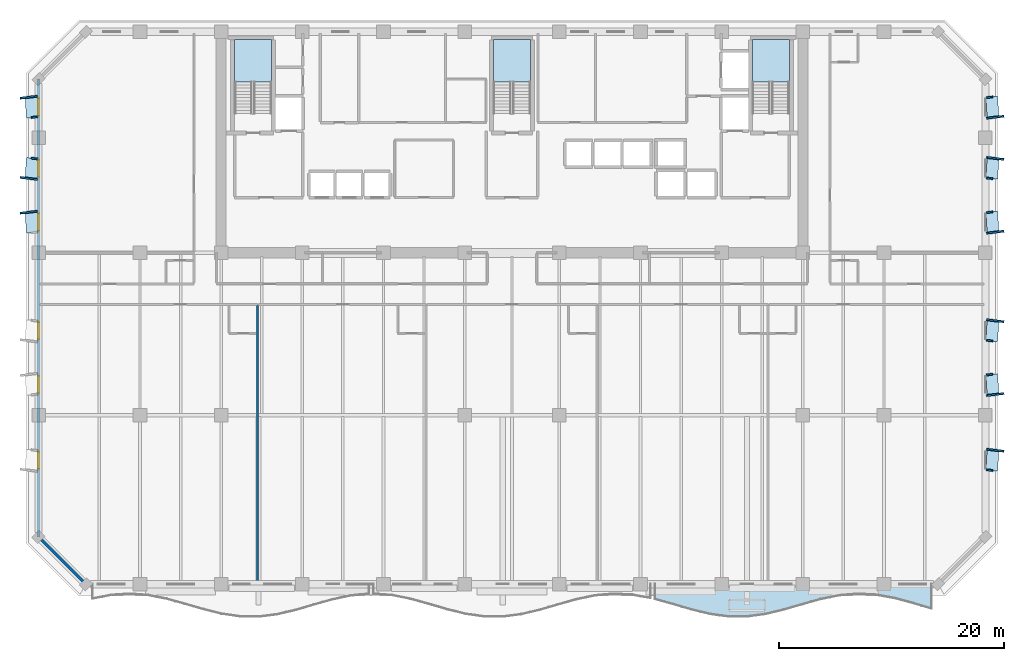
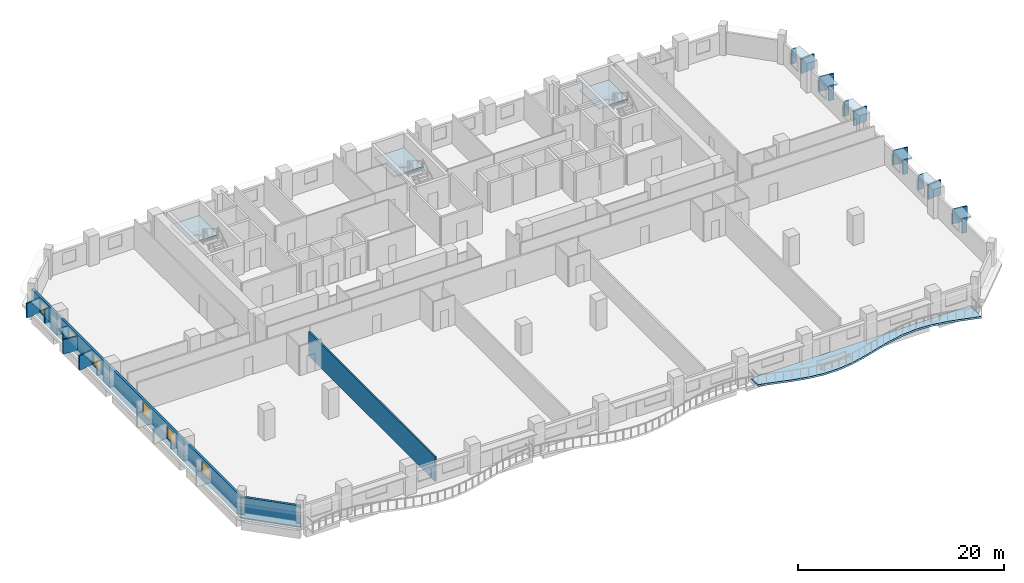
# One storey, part 3 of 14: 26 plates, 6 windows, 4 slabs, 3 walls, 6 openings, 3 elements without a shape of their own.
"""IFC4 building model written with IfcOpenShell, lengths in metres."""

from ifc_helpers import new_model, si_unit, direction, frame, frame_2d, origin, origin_2d, place, context, subcontext, project, spatial, polyline, rectangle, outline, extrude, material, layer, layer_set, type_object, element, fill, aggregate, save


model = new_model("IFC4")

# Units and contexts
model_context = context("Model", 3, precision=1e-05, world=origin(), true_north=direction((0.0, 1.0)))
body_context = subcontext(model_context, "Body", "Model", "MODEL_VIEW")
ifc_project = project(units=[si_unit("LENGTHUNIT", "METRE"), si_unit("AREAUNIT", "SQUARE_METRE"), si_unit("VOLUMEUNIT", "CUBIC_METRE"), si_unit("PLANEANGLEUNIT", "RADIAN"), si_unit("MASSUNIT", "GRAM", prefix="KILO")], contexts=[model_context])

# Site, building, storey
site_placement = place(None, origin())
site = spatial("IfcSite", under=ifc_project, at=site_placement, CompositionType="ELEMENT")
building_placement = place(site_placement, origin())
building = spatial("IfcBuilding", under=site, at=building_placement, Name="Kaelvorn Grand Hotel", CompositionType="ELEMENT")
storey_placement = place(building_placement, frame((0.0, 0.0, 123.050048828125)))
storey = spatial("IfcBuildingStorey", under=building, at=storey_placement, Name="L29", CompositionType="ELEMENT", Elevation=123.050048828125)

# Plates
ifc_material_1 = material(Name="Precast concrete C45/55", Category="concrete")
ifc_layer_1 = layer(ifc_material_1, 0.159912109375)
ifc_layer_set_1 = layer_set([ifc_layer_1], Name="Precast concrete C45/55")
plate_type_1 = type_object("IfcPlateType", Name="PL-FRAME-DEEP-1550", PredefinedType="USERDEFINED", material=ifc_layer_set_1)
for number, where, z_axis, x_axis, name in (
    (1, (84.864990234375, 11.889892578125, 0.68994140625), (0.0, 0.0, 1.0), (0.121869343405, 0.992546151641, 0.0), "L29 Tilted Precast Window Frame Fin R-E01"),
    (2, (84.864990234375, 16.824951171875, 0.68994140625), (0.0, 0.0, 1.0), (-0.121869343405, 0.992546151641, 0.0), "L29 Tilted Precast Window Frame Fin L-E02"),
    (3, (84.864990234375, 23.375, 0.68994140625), (0.0, 0.0, 1.0), (0.121869343405, 0.992546151641, 0.0), "L29 Tilted Precast Window Frame Fin R-E03"),
    (4, (84.864990234375, 31.22509765625, 0.68994140625), (0.0, 0.0, 1.0), (-0.121869343405, 0.992546151641, 0.0), "L29 Tilted Precast Window Frame Fin L-E04"),
    (5, (84.864990234375, 37.77490234375, 0.68994140625), (0.0, 0.0, 1.0), (0.121869343405, 0.992546151641, 0.0), "L29 Tilted Precast Window Frame Fin R-E05"),
    (6, (84.864990234375, 41.425048828125, 0.68994140625), (0.0, 0.0, 1.0), (-0.121869343405, 0.992546151641, 0.0), "L29 Tilted Precast Window Frame Fin L-E06"),
    (7, (-0.864990234375, 33.0048828125, 0.68994140625), (0.0, 0.0, 1.0), (-0.121869343405, 0.992546151641, 0.0), "L29 Tilted Precast Window Frame Fin R-W04"),
    (8, (-0.864990234375, 35.9951171875, 0.68994140625), (0.0, 0.0, 1.0), (0.121869343405, 0.992546151641, 0.0), "L29 Tilted Precast Window Frame Fin L-W05"),
    (9, (-0.864990234375, 43.205078125, 0.68994140625), (0.0, 0.0, 1.0), (-0.121869343405, 0.992546151641, 0.0), "L29 Tilted Precast Window Frame Fin R-W06"),
):
    element("IfcPlate", number, at=place(storey_placement, frame(where, z_axis=z_axis, x_axis=x_axis)), inside=storey, type_object=plate_type_1, Name=name, ObjectType="FLANGE_PLATE", PredefinedType="USERDEFINED", context=body_context, shape_type="SweptSolid", body=[
        extrude(rectangle(XDim=0.159912109375, YDim=1.550048828125, at=origin_2d()), origin(), (0.0, 0.0, 1.0), 1.719970703125),
    ])
ifc_layer_2 = layer(ifc_material_1, 0.159912109375)
ifc_layer_set_2 = layer_set([ifc_layer_2], Name="Precast concrete C45/55")
plate_type_2 = type_object("IfcPlateType", Name="PL-FRAME-HEAD-1050", PredefinedType="USERDEFINED", material=ifc_layer_set_2)
for number, where, z_axis, x_axis, name in (
    (10, (84.614990234375, 11.0, 2.25), (0.0, 0.0, 1.0), (0.054950179912, 0.998489097451, 0.0), "L29 Precast Window Frame Head Hood H-E01"),
    (11, (84.614990234375, 17.715087890625, 2.25), (0.0, 0.0, 1.0), (-0.054950179912, 0.998489097451, 0.0), "L29 Precast Window Frame Head Hood H-E02"),
    (12, (84.614990234375, 22.485107421875, 2.25), (0.0, 0.0, 1.0), (0.054950179912, 0.998489097451, 0.0), "L29 Precast Window Frame Head Hood H-E03"),
    (13, (84.614990234375, 32.114990234375, 2.25), (0.0, 0.0, 1.0), (-0.054950179912, 0.998489097451, 0.0), "L29 Precast Window Frame Head Hood H-E04"),
    (14, (84.614990234375, 36.885009765625, 2.25), (0.0, 0.0, 1.0), (0.054950179912, 0.998489097451, 0.0), "L29 Precast Window Frame Head Hood H-E05"),
    (15, (84.614990234375, 42.31494140625, 2.25), (0.0, 0.0, 1.0), (-0.054950179912, 0.998489097451, 0.0), "L29 Precast Window Frame Head Hood H-E06"),
    (16, (-0.614990234375, 32.114990234375, 2.25), (0.0, 0.0, 1.0), (-0.054950179912, 0.998489097451, 0.0), "L29 Precast Window Frame Head Hood H-W04"),
    (17, (-0.614990234375, 36.885009765625, 2.25), (0.0, 0.0, 1.0), (0.054950179912, 0.998489097451, 0.0), "L29 Precast Window Frame Head Hood H-W05"),
    (18, (-0.614990234375, 42.31494140625, 2.25), (0.0, 0.0, 1.0), (-0.054950179912, 0.998489097451, 0.0), "L29 Precast Window Frame Head Hood H-W06"),
):
    element("IfcPlate", number, at=place(storey_placement, frame(where, z_axis=z_axis, x_axis=x_axis)), inside=storey, type_object=plate_type_2, Name=name, ObjectType="FLANGE_PLATE", PredefinedType="USERDEFINED", context=body_context, shape_type="SweptSolid", body=[
        extrude(rectangle(XDim=1.860107421875, YDim=1.050048828125, at=origin_2d()), origin(), (0.0, 0.0, 1.0), 0.159912109375),
    ])
ifc_layer_3 = layer(ifc_material_1, 0.159912109375)
ifc_layer_set_3 = layer_set([ifc_layer_3], Name="Precast concrete C45/55")
plate_type_3 = type_object("IfcPlateType", Name="PL-FRAME-SHAL-550", PredefinedType="USERDEFINED", material=ifc_layer_set_3)
for number, where, z_axis, x_axis, name in (
    (19, (84.364990234375, 10.110107421875, 0.68994140625), (0.0, 0.0, 1.0), (0.121869343405, 0.992546151641, 0.0), "L29 Tilted Precast Window Frame Fin L-E01"),
    (20, (84.364990234375, 18.60498046875, 0.68994140625), (0.0, 0.0, 1.0), (-0.121869343405, 0.992546151641, 0.0), "L29 Tilted Precast Window Frame Fin R-E02"),
    (21, (84.364990234375, 21.594970703125, 0.68994140625), (0.0, 0.0, 1.0), (0.121869343405, 0.992546151641, 0.0), "L29 Tilted Precast Window Frame Fin L-E03"),
    (22, (84.364990234375, 33.0048828125, 0.68994140625), (0.0, 0.0, 1.0), (-0.121869343405, 0.992546151641, 0.0), "L29 Tilted Precast Window Frame Fin R-E04"),
    (23, (84.364990234375, 35.9951171875, 0.68994140625), (0.0, 0.0, 1.0), (0.121869343405, 0.992546151641, 0.0), "L29 Tilted Precast Window Frame Fin L-E05"),
    (24, (84.364990234375, 43.205078125, 0.68994140625), (0.0, 0.0, 1.0), (-0.121869343405, 0.992546151641, 0.0), "L29 Tilted Precast Window Frame Fin R-E06"),
    (25, (-0.364990234375, 37.77490234375, 0.68994140625), (0.0, 0.0, 1.0), (0.121869343405, 0.992546151641, 0.0), "L29 Tilted Precast Window Frame Fin R-W05"),
    (26, (-0.364990234375, 41.425048828125, 0.68994140625), (0.0, 0.0, 1.0), (-0.121869343405, 0.992546151641, 0.0), "L29 Tilted Precast Window Frame Fin L-W06"),
):
    element("IfcPlate", number, at=place(storey_placement, frame(where, z_axis=z_axis, x_axis=x_axis)), inside=storey, type_object=plate_type_3, Name=name, ObjectType="FLANGE_PLATE", PredefinedType="USERDEFINED", context=body_context, shape_type="SweptSolid", body=[
        extrude(rectangle(XDim=0.159912109375, YDim=0.550048828125, at=origin_2d()), origin(), (0.0, 0.0, 1.0), 1.719970703125),
    ])

# Slab
ifc_material_2 = material(Name="Concrete C40/50", Category="concrete")
ifc_layer_4 = layer(ifc_material_2, 0.219970703125)
ifc_layer_set_4 = layer_set([ifc_layer_4], Name="Concrete C40/50")
slab_type_1 = type_object("IfcSlabType", Name="SLB-BALC-220-C40", PredefinedType="FLOOR", material=ifc_layer_set_4)
slab_1_placement = place(storey_placement, frame((0.0, 0.0, -0.219970703125)))
element("IfcSlab", 27, at=slab_1_placement, inside=storey, type_object=slab_type_1, Name="L29 Scalloped Wave Balcony Slab 3", PredefinedType="FLOOR", context=body_context, shape_type="SweptSolid", body=[
    extrude(outline(polyline([(54.666748046875, -1.318359375), (56.30224609375, -1.7744140625), (57.937744140625, -2.2529296875), (59.5732421875, -2.647216796875), (61.208984375, -2.8701171875), (62.844482421875, -2.8720703125), (64.47998046875, -2.652587890625), (66.115478515625, -2.26025390625), (67.751220703125, -1.782470703125), (69.38671875, -1.3251953125), (71.022216796875, -0.989990234375), (72.65771484375, -0.851318359375), (74.293212890625, -0.940185546875), (75.928955078125, -1.236572265625), (77.564453125, -1.6748046875), (79.199951171875, -2.157470703125), (79.199951171875, 0.0), (54.666748046875, 0.0), (54.666748046875, -1.318359375)])), origin(), (0.0, 0.0, 1.0), 0.219970703125),
])

# Stair, slab
stair_type = type_object("IfcStairType", Name="STR-DOG-1560-R06", PredefinedType="HALF_TURN_STAIR", material=ifc_material_2)
stair_1_placement = place(storey_placement, origin())
stair_1 = element("IfcStair", 28, at=stair_1_placement, inside=storey, type_object=stair_type, Name="L29 West Core Exit Stair ST1", PredefinedType="HALF_TURN_STAIR")
ifc_layer_5 = layer(ifc_material_2, 0.199951171875)
ifc_layer_set_5 = layer_set([ifc_layer_5], Name="Concrete C40/50")
slab_type_2 = type_object("IfcSlabType", Name="SLB-LAND-200-C40", PredefinedType="LANDING", material=ifc_layer_set_5)
slab_2_placement = place(storey_placement, frame((0.0, 0.0, 1.675048828125)))
slab_2 = element("IfcSlab", 29, at=slab_2_placement, type_object=slab_type_2, Name="ST1 landing 1", PredefinedType="LANDING", context=body_context, shape_type="SweptSolid", body=[
    extrude(outline(polyline([(20.679931640625, 44.56005859375), (20.679931640625, 48.300048828125), (17.39990234375, 48.300048828125), (17.39990234375, 44.56005859375), (20.679931640625, 44.56005859375)])), origin(), (0.0, 0.0, 1.0), 0.199951171875),
])
aggregate(stair_1, [slab_2])

stair_2_placement = place(storey_placement, origin())
stair_2 = element("IfcStair", 30, at=stair_2_placement, inside=storey, type_object=stair_type, Name="L29 Central Core Exit Stair ST2", PredefinedType="HALF_TURN_STAIR")
slab_3_placement = place(storey_placement, frame((0.0, 0.0, 1.675048828125)))
slab_3 = element("IfcSlab", 31, at=slab_3_placement, type_object=slab_type_2, Name="ST2 landing 1", PredefinedType="LANDING", context=body_context, shape_type="SweptSolid", body=[
    extrude(outline(polyline([(43.639892578125, 44.56005859375), (43.639892578125, 48.300048828125), (40.360107421875, 48.300048828125), (40.360107421875, 44.56005859375), (43.639892578125, 44.56005859375)])), origin(), (0.0, 0.0, 1.0), 0.199951171875),
])
aggregate(stair_2, [slab_3])

stair_3_placement = place(storey_placement, origin())
stair_3 = element("IfcStair", 32, at=stair_3_placement, inside=storey, type_object=stair_type, Name="L29 East Core Exit Stair ST3", PredefinedType="HALF_TURN_STAIR")
slab_4_placement = place(storey_placement, frame((0.0, 0.0, 1.675048828125)))
slab_4 = element("IfcSlab", 33, at=slab_4_placement, type_object=slab_type_2, Name="ST3 landing 1", PredefinedType="LANDING", context=body_context, shape_type="SweptSolid", body=[
    extrude(outline(polyline([(66.60009765625, 44.56005859375), (66.60009765625, 48.300048828125), (63.320068359375, 48.300048828125), (63.320068359375, 44.56005859375), (66.60009765625, 44.56005859375)])), origin(), (0.0, 0.0, 1.0), 0.199951171875),
])
aggregate(stair_3, [slab_4])

# Wall, openings, windows
ifc_layer_6 = layer(ifc_material_2, 0.260009765625)
ifc_layer_set_6 = layer_set([ifc_layer_6], Name="Concrete C40/50")
wall_type_1 = type_object("IfcWallType", Name="WL-EXT-260-C40", PredefinedType="SOLIDWALL", material=ifc_layer_set_6)
wall_1_placement = place(storey_placement, frame((0.0, 44.800048828125, 0.0), z_axis=(0.0, 0.0, 1.0), x_axis=(0.0, -1.0, 0.0)))
wall_1 = element("IfcWall", 34, at=wall_1_placement, inside=storey, type_object=wall_type_1, Name="L29 Exterior Architectural Concrete Wall 07", PredefinedType="SOLIDWALL", context=body_context, shape_type="SweptSolid", body=[
    extrude(rectangle(XDim=40.60009765625, YDim=0.260009765625, at=frame_2d((20.300048828125, 0.0))), origin(), (0.0, 0.0, 1.0), 2.56005859375),
])
opening_1_placement = place(wall_1_placement, frame((33.050048828125, 0.0, 0.85009765625)))
opening_1 = element("IfcOpeningElement", 35, at=opening_1_placement, cuts=wall_1, Name="Opening W10", PredefinedType="OPENING", context=body_context, shape_type="SweptSolid", body=[
    extrude(rectangle(XDim=1.5, YDim=1.39990234375, at=frame_2d((0.75, 0.699951171875))), frame((0.0, 0.14013671875, 0.0), z_axis=(0.0, -1.0, 0.0), x_axis=(1.0, 0.0, 0.0)), (0.0, 0.0, 1.0), 0.280029296875),
])
opening_2_placement = place(wall_1_placement, frame((26.3349609375, 0.0, 0.85009765625)))
opening_2 = element("IfcOpeningElement", 36, at=opening_2_placement, cuts=wall_1, Name="Opening W10", PredefinedType="OPENING", context=body_context, shape_type="SweptSolid", body=[
    extrude(rectangle(XDim=1.5, YDim=1.39990234375, at=frame_2d((0.75, 0.699951171875))), frame((0.0, 0.14013671875, 0.0), z_axis=(0.0, -1.0, 0.0), x_axis=(1.0, 0.0, 0.0)), (0.0, 0.0, 1.0), 0.280029296875),
])
opening_3_placement = place(wall_1_placement, frame((21.56494140625, 0.0, 0.85009765625)))
opening_3 = element("IfcOpeningElement", 37, at=opening_3_placement, cuts=wall_1, Name="Opening W10", PredefinedType="OPENING", context=body_context, shape_type="SweptSolid", body=[
    extrude(rectangle(XDim=1.5, YDim=1.39990234375, at=frame_2d((0.75, 0.699951171875))), frame((0.0, 0.14013671875, 0.0), z_axis=(0.0, -1.0, 0.0), x_axis=(1.0, 0.0, 0.0)), (0.0, 0.0, 1.0), 0.280029296875),
])
opening_4_placement = place(wall_1_placement, frame((11.93505859375, 0.0, 0.85009765625)))
opening_4 = element("IfcOpeningElement", 38, at=opening_4_placement, cuts=wall_1, Name="Opening W10", PredefinedType="OPENING", context=body_context, shape_type="SweptSolid", body=[
    extrude(rectangle(XDim=1.5, YDim=1.39990234375, at=frame_2d((0.75, 0.699951171875))), frame((0.0, 0.14013671875, 0.0), z_axis=(0.0, -1.0, 0.0), x_axis=(1.0, 0.0, 0.0)), (0.0, 0.0, 1.0), 0.280029296875),
])
opening_5_placement = place(wall_1_placement, frame((7.1650390625, 0.0, 0.85009765625)))
opening_5 = element("IfcOpeningElement", 39, at=opening_5_placement, cuts=wall_1, Name="Opening W10", PredefinedType="OPENING", context=body_context, shape_type="SweptSolid", body=[
    extrude(rectangle(XDim=1.5, YDim=1.39990234375, at=frame_2d((0.75, 0.699951171875))), frame((0.0, 0.14013671875, 0.0), z_axis=(0.0, -1.0, 0.0), x_axis=(1.0, 0.0, 0.0)), (0.0, 0.0, 1.0), 0.280029296875),
])
opening_6_placement = place(wall_1_placement, frame((1.735107421875, 0.0, 0.85009765625)))
opening_6 = element("IfcOpeningElement", 40, at=opening_6_placement, cuts=wall_1, Name="Opening W10", PredefinedType="OPENING", context=body_context, shape_type="SweptSolid", body=[
    extrude(rectangle(XDim=1.5, YDim=1.39990234375, at=frame_2d((0.75, 0.699951171875))), frame((0.0, 0.14013671875, 0.0), z_axis=(0.0, -1.0, 0.0), x_axis=(1.0, 0.0, 0.0)), (0.0, 0.0, 1.0), 0.280029296875),
])
ifc_material_3 = material(Name="Laminated Low-E Glass", Category="glass")
window_type = type_object("IfcWindowType", Name="WIN-COR-1500x1400", PartitioningType="SINGLE_PANEL", PredefinedType="WINDOW", material=ifc_material_3)
window_1_placement = place(opening_1_placement, origin())
window_1 = element("IfcWindow", 41, at=window_1_placement, inside=storey, type_object=window_type, Name="L29 W Wing Tilted-Frame Ribbon Window W01", OverallHeight=1.39990234375, OverallWidth=1.5, PartitioningType="SINGLE_PANEL", PredefinedType="WINDOW", context=body_context, shape_type="SweptSolid", body=[
    extrude(rectangle(XDim=1.5, YDim=1.39990234375, at=frame_2d((0.75, 0.699951171875))), frame((0.0, 0.030029296875, 0.0), z_axis=(0.0, -1.0, 0.0), x_axis=(1.0, 0.0, 0.0)), (0.0, 0.0, 1.0), 0.06005859375),
])
fill(opening_1, window_1)
window_2_placement = place(opening_2_placement, origin())
window_2 = element("IfcWindow", 42, at=window_2_placement, inside=storey, type_object=window_type, Name="L29 W Wing Tilted-Frame Ribbon Window W02", OverallHeight=1.39990234375, OverallWidth=1.5, PartitioningType="SINGLE_PANEL", PredefinedType="WINDOW", context=body_context, shape_type="SweptSolid", body=[
    extrude(rectangle(XDim=1.5, YDim=1.39990234375, at=frame_2d((0.75, 0.699951171875))), frame((0.0, 0.030029296875, 0.0), z_axis=(0.0, -1.0, 0.0), x_axis=(1.0, 0.0, 0.0)), (0.0, 0.0, 1.0), 0.06005859375),
])
fill(opening_2, window_2)
window_3_placement = place(opening_3_placement, origin())
window_3 = element("IfcWindow", 43, at=window_3_placement, inside=storey, type_object=window_type, Name="L29 W Wing Tilted-Frame Ribbon Window W03", OverallHeight=1.39990234375, OverallWidth=1.5, PartitioningType="SINGLE_PANEL", PredefinedType="WINDOW", context=body_context, shape_type="SweptSolid", body=[
    extrude(rectangle(XDim=1.5, YDim=1.39990234375, at=frame_2d((0.75, 0.699951171875))), frame((0.0, 0.030029296875, 0.0), z_axis=(0.0, -1.0, 0.0), x_axis=(1.0, 0.0, 0.0)), (0.0, 0.0, 1.0), 0.06005859375),
])
fill(opening_3, window_3)
window_4_placement = place(opening_4_placement, origin())
window_4 = element("IfcWindow", 44, at=window_4_placement, inside=storey, type_object=window_type, Name="L29 W Wing Tilted-Frame Ribbon Window W04", OverallHeight=1.39990234375, OverallWidth=1.5, PartitioningType="SINGLE_PANEL", PredefinedType="WINDOW", context=body_context, shape_type="SweptSolid", body=[
    extrude(rectangle(XDim=1.5, YDim=1.39990234375, at=frame_2d((0.75, 0.699951171875))), frame((0.0, 0.030029296875, 0.0), z_axis=(0.0, -1.0, 0.0), x_axis=(1.0, 0.0, 0.0)), (0.0, 0.0, 1.0), 0.06005859375),
])
fill(opening_4, window_4)
window_5_placement = place(opening_5_placement, origin())
window_5 = element("IfcWindow", 45, at=window_5_placement, inside=storey, type_object=window_type, Name="L29 W Wing Tilted-Frame Ribbon Window W05", OverallHeight=1.39990234375, OverallWidth=1.5, PartitioningType="SINGLE_PANEL", PredefinedType="WINDOW", context=body_context, shape_type="SweptSolid", body=[
    extrude(rectangle(XDim=1.5, YDim=1.39990234375, at=frame_2d((0.75, 0.699951171875))), frame((0.0, 0.030029296875, 0.0), z_axis=(0.0, -1.0, 0.0), x_axis=(1.0, 0.0, 0.0)), (0.0, 0.0, 1.0), 0.06005859375),
])
fill(opening_5, window_5)
window_6_placement = place(opening_6_placement, origin())
window_6 = element("IfcWindow", 46, at=window_6_placement, inside=storey, type_object=window_type, Name="L29 W Wing Tilted-Frame Ribbon Window W06", OverallHeight=1.39990234375, OverallWidth=1.5, PartitioningType="SINGLE_PANEL", PredefinedType="WINDOW", context=body_context, shape_type="SweptSolid", body=[
    extrude(rectangle(XDim=1.5, YDim=1.39990234375, at=frame_2d((0.75, 0.699951171875))), frame((0.0, 0.030029296875, 0.0), z_axis=(0.0, -1.0, 0.0), x_axis=(1.0, 0.0, 0.0)), (0.0, 0.0, 1.0), 0.06005859375),
])
fill(opening_6, window_6)

# Walls
wall_2_placement = place(storey_placement, frame((0.0, 4.199951171875, 0.0), z_axis=(0.0, 0.0, 1.0), x_axis=(0.707106781187, -0.707106781187, 0.0)))
element("IfcWall", 47, at=wall_2_placement, inside=storey, type_object=wall_type_1, Name="L29 Exterior Architectural Concrete Wall 08", PredefinedType="SOLIDWALL", context=body_context, shape_type="SweptSolid", body=[
    extrude(rectangle(XDim=5.939697265625, YDim=0.260009765625, at=frame_2d((2.9697265625, 0.0))), origin(), (0.0, 0.0, 1.0), 2.56005859375),
])
ifc_material_4 = material(Name="Acoustic Gypsum & Stud Partition")
ifc_layer_7 = layer(ifc_material_4, 0.179931640625)
ifc_layer_set_7 = layer_set([ifc_layer_7], Name="Acoustic Gypsum & Stud Partition")
wall_type_2 = type_object("IfcWallType", Name="WL-PART-180-EI60", PredefinedType="PARTITIONING", material=ifc_layer_set_7)
wall_3_placement = place(storey_placement, frame((19.409912109375, 0.14990234375, 0.0), z_axis=(0.0, 0.0, 1.0), x_axis=(0.0, 1.0, 0.0)))
element("IfcWall", 48, at=wall_3_placement, inside=storey, type_object=wall_type_2, Name="L29 Presidential Sky Suite L29-01 E Partition", PredefinedType="PARTITIONING", context=body_context, shape_type="SweptSolid", body=[
    extrude(rectangle(XDim=24.55517578125, YDim=0.179931640625, at=frame_2d((12.277587890625, 0.0))), origin(), (0.0, 0.0, 1.0), 2.8798828125),
])

save(model, "model.ifc")
